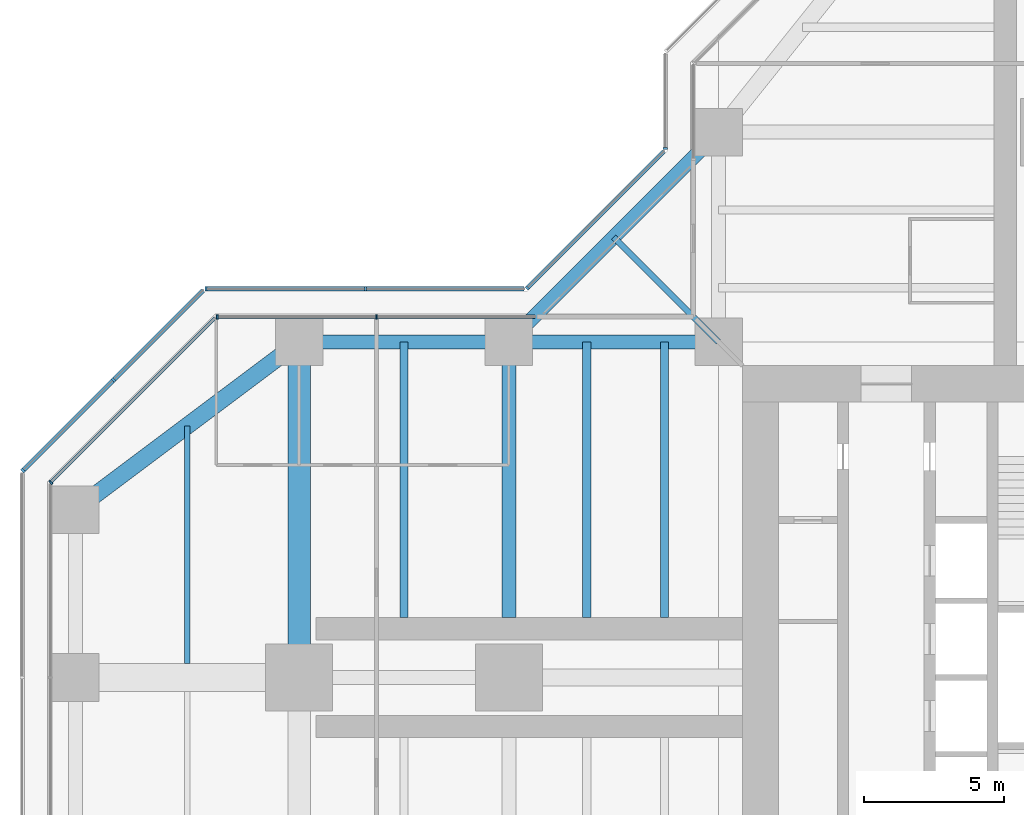
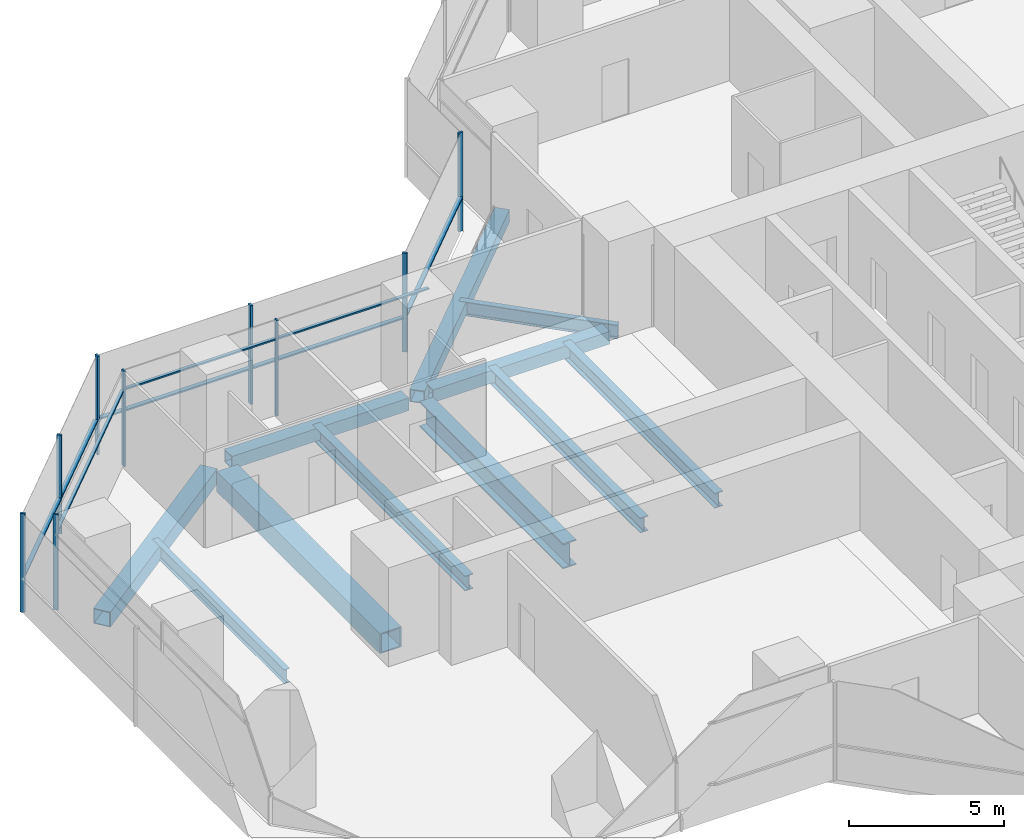
# One storey, part 7 of 19: 17 members, 11 beams, 6 elements without a shape of their own.
"""IFC4 building model written with IfcOpenShell, lengths in metres."""

from ifc_helpers import new_model, si_unit, direction, frame, origin, origin_2d, place, context, subcontext, project, spatial, rectangle, hollow_rectangle, i_section, extrude, material, material_profile, profile_set, type_object, element, aggregate, save


model = new_model("IFC4")

# Units and contexts
model_context = context("Model", 3, precision=1e-05, world=origin(), true_north=direction((0.0, 1.0)))
body_context = subcontext(model_context, "Body", "Model", "MODEL_VIEW")
ifc_project = project(units=[si_unit("LENGTHUNIT", "METRE"), si_unit("AREAUNIT", "SQUARE_METRE"), si_unit("VOLUMEUNIT", "CUBIC_METRE"), si_unit("PLANEANGLEUNIT", "RADIAN"), si_unit("MASSUNIT", "GRAM", prefix="KILO")], contexts=[model_context])

# Site, building, storey
site_placement = place(None, origin())
site = spatial("IfcSite", under=ifc_project, at=site_placement, CompositionType="ELEMENT")
building_placement = place(site_placement, origin())
building = spatial("IfcBuilding", under=site, at=building_placement, Name="Mizan Broadcast Tower", CompositionType="ELEMENT")
storey_placement = place(building_placement, frame((0.0, 0.0, 167.10009765625)))
storey = spatial("IfcBuildingStorey", under=building, at=storey_placement, Name="L38", CompositionType="ELEMENT", Elevation=167.10009765625)

# Beams
ifc_material_1 = material(Name="Steel S355", Category="steel")
ifc_material_profile_1 = material_profile(ifc_material_1, hollow_rectangle(XDim=0.5, YDim=0.5, WallThickness=0.030029296875, at=origin_2d()), Name="BOX 500x500x30")
ifc_profile_set_1 = profile_set([ifc_material_profile_1], Name="Steel S355")
beam_type_1 = type_object("IfcBeamType", Name="EDGE BEAM BOX 500x500x30", PredefinedType="SPANDREL", material=ifc_profile_set_1)
for number, where, z_axis, x_axis, name in (
    (1, (-12.449951171875, 12.0, -0.380126953125), (-1.0, 0.0, 0.0), (0.0, -1.0, 0.0), "Edge beam BOX 500x500x30 L38 west arm"),
    (2, (-19.949951171875, 12.0, -0.380126953125), (-1.0, 0.0, 0.0), (0.0, -1.0, 0.0), "Edge beam BOX 500x500x30 L38 west arm"),
):
    element("IfcBeam", number, at=place(storey_placement, frame(where, z_axis=z_axis, x_axis=x_axis)), inside=storey, type_object=beam_type_1, Name=name, PredefinedType="SPANDREL", context=body_context, shape_type="SweptSolid", body=[
        extrude(hollow_rectangle(XDim=0.5, YDim=0.5, WallThickness=0.030029296875, at=origin_2d()), origin(), (0.0, 0.0, 1.0), 6.60009765625),
    ])
beam_1_placement = place(storey_placement, frame((-12.0, 19.5, -0.380126953125), z_axis=(-0.707106781187, -0.707106781187, 0.0), x_axis=(0.707106781187, -0.707106781187, 0.0)))
element("IfcBeam", 3, at=beam_1_placement, inside=storey, type_object=beam_type_1, Name="Winter garden edge beam L38 N", PredefinedType="SPANDREL", context=body_context, shape_type="SweptSolid", body=[
    extrude(hollow_rectangle(XDim=0.5, YDim=0.5, WallThickness=0.030029296875, at=origin_2d()), origin(), (0.0, 0.0, 1.0), 10.606689453125),
])
ifc_material_2 = material(Name="Steel S355", Category="steel")
ifc_material_profile_2 = material_profile(ifc_material_2, hollow_rectangle(XDim=0.60009765625, YDim=0.60009765625, WallThickness=0.030029296875, at=origin_2d()), Name="BOX 600x600x30")
ifc_profile_set_2 = profile_set([ifc_material_profile_2], Name="Steel S355")
beam_type_2 = type_object("IfcBeamType", Name="EDGE BEAM BOX 600x600x30", PredefinedType="SPANDREL", material=ifc_profile_set_2)
beam_2_placement = place(storey_placement, frame((-27.47998046875, 11.639892578125, -0.43017578125), z_axis=(-0.800013316712, -0.599982243973, 0.0), x_axis=(0.599982243973, -0.800013316712, 0.0)))
element("IfcBeam", 4, at=beam_2_placement, inside=storey, type_object=beam_type_2, Name="Edge beam BOX 600x600x30 L38 west arm", PredefinedType="SPANDREL", context=body_context, shape_type="SweptSolid", body=[
    extrude(hollow_rectangle(XDim=0.60009765625, YDim=0.60009765625, WallThickness=0.030029296875, at=origin_2d()), origin(), (0.0, 0.0, 1.0), 8.7998046875),
])
ifc_material_3 = material(Name="Steel S460", Category="steel")
ifc_material_profile_3 = material_profile(ifc_material_3, hollow_rectangle(XDim=0.800048828125, YDim=0.800048828125, WallThickness=0.050048828125, at=origin_2d()), Name="BOX 800x800x50")
ifc_profile_set_3 = profile_set([ifc_material_profile_3], Name="Steel S460")
beam_type_3 = type_object("IfcBeamType", Name="GIRDER BOX 800x800x50", PredefinedType="BEAM", material=ifc_profile_set_3)
beam_3_placement = place(storey_placement, frame((-27.0, 11.280029296875, -0.530029296875), z_axis=(0.0, -1.0, 0.0), x_axis=(1.0, 0.0, 0.0)))
element("IfcBeam", 5, at=beam_3_placement, inside=storey, type_object=beam_type_3, Name="Girder BOX 800x800x50 L38 west arm", PredefinedType="BEAM", context=body_context, shape_type="SweptSolid", body=[
    extrude(hollow_rectangle(XDim=0.800048828125, YDim=0.800048828125, WallThickness=0.050048828125, at=origin_2d()), origin(), (0.0, 0.0, 1.0), 10.56005859375),
])
ifc_material_4 = material(Name="Steel S460", Category="steel")
ifc_material_profile_4 = material_profile(ifc_material_4, i_section(OverallWidth=0.5, OverallDepth=1.0, WebThickness=0.02490234375, FlangeThickness=0.050048828125, at=origin_2d()), Name="WPG 1000x500")
ifc_profile_set_4 = profile_set([ifc_material_profile_4], Name="Steel S460")
beam_type_4 = type_object("IfcBeamType", Name="GIRDER WPG 1000x500", PredefinedType="BEAM", material=ifc_profile_set_4)
beam_4_placement = place(storey_placement, frame((-19.5, 11.408935546875, -0.630126953125), z_axis=(0.0, -1.0, 0.0), x_axis=(1.0, 0.0, 0.0)))
element("IfcBeam", 6, at=beam_4_placement, inside=storey, type_object=beam_type_4, Name="Girder WPG 1000x500 L38 west arm", PredefinedType="BEAM", context=body_context, shape_type="SweptSolid", body=[
    extrude(i_section(OverallWidth=0.5, OverallDepth=1.0, WebThickness=0.02490234375, FlangeThickness=0.050048828125, at=origin_2d()), origin(), (0.0, 0.0, 1.0), 9.259033203125),
])

# Curtain wall, members
ifc_material_5 = material(Name="Aluminium framed glazing", Category="aluminium")
curtain_wall_type_1 = type_object("IfcCurtainWallType", Name="INNER SKIN MID ZONE", PredefinedType="USERDEFINED", material=ifc_material_5)
curtain_wall_1_placement = place(storey_placement, origin())
curtain_wall_1 = element("IfcCurtainWall", 7, at=curtain_wall_1_placement, inside=storey, type_object=curtain_wall_type_1, Name="Inner skin mid zone L38 W side", ObjectType="INNER SKIN MID ZONE", PredefinedType="USERDEFINED")
ifc_material_6 = material(Name="Aluminium, pale anodised", Category="aluminium")
ifc_material_profile_5 = material_profile(ifc_material_6, rectangle(XDim=0.159912109375, YDim=0.06005859375, at=origin_2d()), Name="MULLION 160x60")
ifc_profile_set_5 = profile_set([ifc_material_profile_5], Name="Aluminium, pale anodised")
member_type_1 = type_object("IfcMemberType", Name="INNER SKIN MULLION 60x160", PredefinedType="MULLION", material=ifc_profile_set_5)
member_1_placement = place(storey_placement, frame((-24.229248046875, 12.89990234375, 0.0), z_axis=(0.0, 0.0, 1.0), x_axis=(0.0, -1.0, 0.0)))
member_1 = element("IfcMember", 8, at=member_1_placement, type_object=member_type_1, Name="Inner skin mid zone L38 W side mullion 2", PredefinedType="MULLION", context=body_context, shape_type="SweptSolid", body=[
    extrude(rectangle(XDim=0.159912109375, YDim=0.06005859375, at=origin_2d()), origin(), (0.0, 0.0, 1.0), 3.77001953125),
])
member_2_placement = place(storey_placement, frame((-29.928466796875, 12.89990234375, 0.0), z_axis=(0.0, 0.0, 1.0), x_axis=(0.0, -1.0, 0.0)))
member_2 = element("IfcMember", 9, at=member_2_placement, type_object=member_type_1, Name="Inner skin mid zone L38 W side mullion 3", PredefinedType="MULLION", context=body_context, shape_type="SweptSolid", body=[
    extrude(rectangle(XDim=0.159912109375, YDim=0.06005859375, at=origin_2d()), origin(), (0.0, 0.0, 1.0), 3.77001953125),
])

# Curtain wall, member
curtain_wall_2_placement = place(storey_placement, origin())
curtain_wall_2 = element("IfcCurtainWall", 10, at=curtain_wall_2_placement, inside=storey, type_object=curtain_wall_type_1, Name="Inner skin mid zone L38 W chamfer", ObjectType="INNER SKIN MID ZONE", PredefinedType="USERDEFINED")
member_3_placement = place(storey_placement, frame((-35.87890625, 6.979736328125, 0.0), z_axis=(0.0, 0.0, 1.0), x_axis=(0.707106781187, -0.707106781187, 0.0)))
member_3 = element("IfcMember", 11, at=member_3_placement, type_object=member_type_1, Name="Inner skin mid zone L38 W chamfer mullion 2", PredefinedType="MULLION", context=body_context, shape_type="SweptSolid", body=[
    extrude(rectangle(XDim=0.159912109375, YDim=0.06005859375, at=origin_2d()), origin(), (0.0, 0.0, 1.0), 3.77001953125),
])

# Member
ifc_material_7 = material(Name="Aluminium, pale anodised", Category="aluminium")
ifc_material_profile_6 = material_profile(ifc_material_7, rectangle(XDim=0.1201171875, YDim=0.06005859375, at=origin_2d()), Name="TRANSOM 120x60")
ifc_profile_set_6 = profile_set([ifc_material_profile_6], Name="Aluminium, pale anodised")
member_type_2 = type_object("IfcMemberType", Name="INNER SKIN TRANSOM 60x120", PredefinedType="USERDEFINED", material=ifc_profile_set_6)
member_4_placement = place(storey_placement, frame((-18.56005859375, 12.89990234375, 3.02978515625), z_axis=(-1.0, 0.0, 0.0), x_axis=(0.0, -1.0, 0.0)))
member_4 = element("IfcMember", 12, at=member_4_placement, type_object=member_type_2, Name="Inner skin mid zone L38 W side transom 1.1", ObjectType="TRANSOM", PredefinedType="USERDEFINED", context=body_context, shape_type="SweptSolid", body=[
    extrude(rectangle(XDim=0.1201171875, YDim=0.06005859375, at=origin_2d()), origin(), (0.0, 0.0, 1.0), 5.63916015625),
])

member_5_placement = place(storey_placement, frame((-24.25927734375, 12.89990234375, 3.02978515625), z_axis=(-1.0, 0.0, 0.0), x_axis=(0.0, -1.0, 0.0)))
member_5 = element("IfcMember", 13, at=member_5_placement, type_object=member_type_2, Name="Inner skin mid zone L38 W side transom 2.1", ObjectType="TRANSOM", PredefinedType="USERDEFINED", context=body_context, shape_type="SweptSolid", body=[
    extrude(rectangle(XDim=0.1201171875, YDim=0.06005859375, at=origin_2d()), origin(), (0.0, 0.0, 1.0), 5.639404296875),
])

aggregate(curtain_wall_1, [member_1, member_2, member_4, member_5])

member_6_placement = place(storey_placement, frame((-30.0009765625, 12.857666015625, 3.02978515625), z_axis=(-0.707106781187, -0.707106781187, 0.0), x_axis=(0.707106781187, -0.707106781187, 0.0)))
member_6 = element("IfcMember", 14, at=member_6_placement, type_object=member_type_2, Name="Inner skin mid zone L38 W chamfer transom 1.1", ObjectType="TRANSOM", PredefinedType="USERDEFINED", context=body_context, shape_type="SweptSolid", body=[
    extrude(rectangle(XDim=0.1201171875, YDim=0.06005859375, at=origin_2d()), origin(), (0.0, 0.0, 1.0), 8.28271484375),
])

aggregate(curtain_wall_2, [member_3, member_6])

# Curtain wall, member
ifc_material_8 = material(Name="Aluminium framed glazing", Category="aluminium")
curtain_wall_type_2 = type_object("IfcCurtainWallType", Name="OUTER SKIN", PredefinedType="USERDEFINED", material=ifc_material_8)
curtain_wall_3_placement = place(storey_placement, origin())
curtain_wall_3 = element("IfcCurtainWall", 15, at=curtain_wall_3_placement, inside=storey, type_object=curtain_wall_type_2, Name="Outer skin L38 N side", ObjectType="OUTER SKIN", PredefinedType="USERDEFINED")
ifc_material_9 = material(Name="Aluminium, pale anodised", Category="aluminium")
ifc_material_profile_7 = material_profile(ifc_material_9, rectangle(XDim=0.159912109375, YDim=0.080078125, at=origin_2d()), Name="MULLION 160x80")
ifc_profile_set_7 = profile_set([ifc_material_profile_7], Name="Aluminium, pale anodised")
member_type_3 = type_object("IfcMemberType", Name="OUTER SKIN MULLION 80x160", PredefinedType="MULLION", material=ifc_profile_set_7)
member_7_placement = place(storey_placement, frame((-13.89990234375, 18.912841796875, 0.0), z_axis=(0.0, 0.0, 1.0), x_axis=(1.0, 0.0, 0.0)))
member_7 = element("IfcMember", 16, at=member_7_placement, type_object=member_type_3, Name="Outer skin L38 N side mullion 2", PredefinedType="MULLION", context=body_context, shape_type="SweptSolid", body=[
    extrude(rectangle(XDim=0.159912109375, YDim=0.080078125, at=origin_2d()), origin(), (0.0, 0.0, 1.0), 3.89990234375),
])
aggregate(curtain_wall_3, [member_7])

curtain_wall_4_placement = place(storey_placement, origin())
curtain_wall_4 = element("IfcCurtainWall", 17, at=curtain_wall_4_placement, inside=storey, type_object=curtain_wall_type_2, Name="Outer skin L38 W chamfer", ObjectType="OUTER SKIN", PredefinedType="USERDEFINED")
member_8_placement = place(storey_placement, frame((-18.844482421875, 13.92822265625, 0.0), z_axis=(0.0, 0.0, 1.0), x_axis=(0.707106781187, -0.707106781187, 0.0)))
member_8 = element("IfcMember", 18, at=member_8_placement, type_object=member_type_3, Name="Outer skin L38 W chamfer mullion 2", PredefinedType="MULLION", context=body_context, shape_type="SweptSolid", body=[
    extrude(rectangle(XDim=0.159912109375, YDim=0.080078125, at=origin_2d()), origin(), (0.0, 0.0, 1.0), 3.89990234375),
])

# Curtain wall, members
curtain_wall_5_placement = place(storey_placement, origin())
curtain_wall_5 = element("IfcCurtainWall", 19, at=curtain_wall_5_placement, inside=storey, type_object=curtain_wall_type_2, Name="Outer skin L38 W side", ObjectType="OUTER SKIN", PredefinedType="USERDEFINED")
member_9_placement = place(storey_placement, frame((-24.622802734375, 13.89990234375, 0.0), z_axis=(0.0, 0.0, 1.0), x_axis=(0.0, -1.0, 0.0)))
member_9 = element("IfcMember", 20, at=member_9_placement, type_object=member_type_3, Name="Outer skin L38 W side mullion 2", PredefinedType="MULLION", context=body_context, shape_type="SweptSolid", body=[
    extrude(rectangle(XDim=0.159912109375, YDim=0.080078125, at=origin_2d()), origin(), (0.0, 0.0, 1.0), 3.89990234375),
])
member_10_placement = place(storey_placement, frame((-30.332763671875, 13.89990234375, 0.0), z_axis=(0.0, 0.0, 1.0), x_axis=(0.0, -1.0, 0.0)))
member_10 = element("IfcMember", 21, at=member_10_placement, type_object=member_type_3, Name="Outer skin L38 W side mullion 3", PredefinedType="MULLION", context=body_context, shape_type="SweptSolid", body=[
    extrude(rectangle(XDim=0.159912109375, YDim=0.080078125, at=origin_2d()), origin(), (0.0, 0.0, 1.0), 3.89990234375),
])

curtain_wall_6_placement = place(storey_placement, origin())
curtain_wall_6 = element("IfcCurtainWall", 22, at=curtain_wall_6_placement, inside=storey, type_object=curtain_wall_type_2, Name="Outer skin L38 W chamfer", ObjectType="OUTER SKIN", PredefinedType="USERDEFINED")
member_11_placement = place(storey_placement, frame((-33.636474609375, 10.636474609375, 0.0), z_axis=(0.0, 0.0, 1.0), x_axis=(0.707106781187, -0.707106781187, 0.0)))
member_11 = element("IfcMember", 23, at=member_11_placement, type_object=member_type_3, Name="Outer skin L38 W chamfer mullion 2", PredefinedType="MULLION", context=body_context, shape_type="SweptSolid", body=[
    extrude(rectangle(XDim=0.159912109375, YDim=0.080078125, at=origin_2d()), origin(), (0.0, 0.0, 1.0), 3.89990234375),
])
member_12_placement = place(storey_placement, frame((-36.871826171875, 7.401123046875, 0.0), z_axis=(0.0, 0.0, 1.0), x_axis=(0.707106781187, -0.707106781187, 0.0)))
member_12 = element("IfcMember", 24, at=member_12_placement, type_object=member_type_3, Name="Outer skin L38 W chamfer mullion 3", PredefinedType="MULLION", context=body_context, shape_type="SweptSolid", body=[
    extrude(rectangle(XDim=0.159912109375, YDim=0.080078125, at=origin_2d()), origin(), (0.0, 0.0, 1.0), 3.89990234375),
])

# Member
ifc_material_10 = material(Name="Aluminium, pale anodised", Category="aluminium")
ifc_material_profile_8 = material_profile(ifc_material_10, rectangle(XDim=0.159912109375, YDim=0.06005859375, at=origin_2d()), Name="TRANSOM 160x60")
ifc_profile_set_8 = profile_set([ifc_material_profile_8], Name="Aluminium, pale anodised")
member_type_4 = type_object("IfcMemberType", Name="OUTER SKIN TRANSOM 60x160", PredefinedType="USERDEFINED", material=ifc_profile_set_8)
member_13_placement = place(storey_placement, frame((-13.95654296875, 18.816162109375, 1.39990234375), z_axis=(-0.707106781187, -0.707106781187, 0.0), x_axis=(0.707106781187, -0.707106781187, 0.0)))
member_13 = element("IfcMember", 25, at=member_13_placement, type_object=member_type_4, Name="Outer skin L38 W chamfer transom 1.1", ObjectType="TRANSOM", PredefinedType="USERDEFINED", context=body_context, shape_type="SweptSolid", body=[
    extrude(rectangle(XDim=0.159912109375, YDim=0.06005859375, at=origin_2d()), origin(), (0.0, 0.0, 1.0), 6.87255859375),
])

aggregate(curtain_wall_4, [member_8, member_13])

member_14_placement = place(storey_placement, frame((-18.952880859375, 13.89990234375, 1.39990234375), z_axis=(-1.0, 0.0, 0.0), x_axis=(0.0, -1.0, 0.0)))
member_14 = element("IfcMember", 26, at=member_14_placement, type_object=member_type_4, Name="Outer skin L38 W side transom 1.1", ObjectType="TRANSOM", PredefinedType="USERDEFINED", context=body_context, shape_type="SweptSolid", body=[
    extrude(rectangle(XDim=0.159912109375, YDim=0.06005859375, at=origin_2d()), origin(), (0.0, 0.0, 1.0), 5.6298828125),
])

member_15_placement = place(storey_placement, frame((-24.662841796875, 13.89990234375, 1.39990234375), z_axis=(-1.0, 0.0, 0.0), x_axis=(0.0, -1.0, 0.0)))
member_15 = element("IfcMember", 27, at=member_15_placement, type_object=member_type_4, Name="Outer skin L38 W side transom 2.1", ObjectType="TRANSOM", PredefinedType="USERDEFINED", context=body_context, shape_type="SweptSolid", body=[
    extrude(rectangle(XDim=0.159912109375, YDim=0.06005859375, at=origin_2d()), origin(), (0.0, 0.0, 1.0), 5.6298828125),
])

aggregate(curtain_wall_5, [member_9, member_10, member_14, member_15])

member_16_placement = place(storey_placement, frame((-30.429443359375, 13.843505859375, 1.39990234375), z_axis=(-0.707106781187, -0.707106781187, 0.0), x_axis=(0.707106781187, -0.707106781187, 0.0)))
member_16 = element("IfcMember", 28, at=member_16_placement, type_object=member_type_4, Name="Outer skin L38 W chamfer transom 1.1", ObjectType="TRANSOM", PredefinedType="USERDEFINED", context=body_context, shape_type="SweptSolid", body=[
    extrude(rectangle(XDim=0.159912109375, YDim=0.06005859375, at=origin_2d()), origin(), (0.0, 0.0, 1.0), 4.495361328125),
])

member_17_placement = place(storey_placement, frame((-33.664794921875, 10.608154296875, 1.39990234375), z_axis=(-0.707106781187, -0.707106781187, 0.0), x_axis=(0.707106781187, -0.707106781187, 0.0)))
member_17 = element("IfcMember", 29, at=member_17_placement, type_object=member_type_4, Name="Outer skin L38 W chamfer transom 2.1", ObjectType="TRANSOM", PredefinedType="USERDEFINED", context=body_context, shape_type="SweptSolid", body=[
    extrude(rectangle(XDim=0.159912109375, YDim=0.06005859375, at=origin_2d()), origin(), (0.0, 0.0, 1.0), 4.495361328125),
])

aggregate(curtain_wall_6, [member_11, member_12, member_16, member_17])

# Beams
ifc_material_11 = material(Name="Steel S355", Category="steel")
ifc_material_profile_9 = material_profile(ifc_material_11, i_section(OverallWidth=0.300048828125, OverallDepth=0.590087890625, WebThickness=0.012939453125, FlangeThickness=0.02490234375, FilletRadius=0.027099609375, at=origin_2d()), Name="HEA 600")
ifc_profile_set_9 = profile_set([ifc_material_profile_9], Name="Steel S355")
beam_type_5 = type_object("IfcBeamType", Name="SECONDARY BEAM HEA 600", PredefinedType="JOIST", material=ifc_profile_set_9)
for number, where, z_axis, x_axis, name in (
    (30, (-13.933349609375, 12.0, -0.425048828125), (0.0, -1.0, 0.0), (1.0, 0.0, 0.0), "Secondary beam HEA 600 L38 west arm"),
    (31, (-16.716552734375, 12.0, -0.425048828125), (0.0, -1.0, 0.0), (1.0, 0.0, 0.0), "Secondary beam HEA 600 L38 west arm"),
    (32, (-23.25, 12.0, -0.425048828125), (0.0, -1.0, 0.0), (1.0, 0.0, 0.0), "Secondary beam HEA 600 L38 west arm"),
):
    element("IfcBeam", number, at=place(storey_placement, frame(where, z_axis=z_axis, x_axis=x_axis)), inside=storey, type_object=beam_type_5, Name=name, PredefinedType="JOIST", context=body_context, shape_type="SweptSolid", body=[
        extrude(i_section(OverallWidth=0.300048828125, OverallDepth=0.590087890625, WebThickness=0.012939453125, FlangeThickness=0.02490234375, FilletRadius=0.027099609375, at=origin_2d()), origin(), (0.0, 0.0, 1.0), 9.85009765625),
    ])
ifc_material_12 = material(Name="Steel S355", Category="steel")
ifc_material_profile_10 = material_profile(ifc_material_12, i_section(OverallWidth=0.2099609375, OverallDepth=0.550048828125, WebThickness=0.010986328125, FlangeThickness=0.01708984375, FilletRadius=0.02392578125, at=origin_2d()), Name="IPE 550")
ifc_profile_set_10 = profile_set([ifc_material_profile_10], Name="Steel S355")
beam_type_6 = type_object("IfcBeamType", Name="SECONDARY BEAM IPE 550", PredefinedType="JOIST", material=ifc_profile_set_10)
beam_5_placement = place(storey_placement, frame((-31.0, 9.0, -0.405029296875), z_axis=(0.0, -1.0, 0.0), x_axis=(1.0, 0.0, 0.0)))
element("IfcBeam", 33, at=beam_5_placement, inside=storey, type_object=beam_type_6, Name="Secondary beam IPE 550 L38 west arm", PredefinedType="JOIST", context=body_context, shape_type="SweptSolid", body=[
    extrude(i_section(OverallWidth=0.2099609375, OverallDepth=0.550048828125, WebThickness=0.010986328125, FlangeThickness=0.01708984375, FilletRadius=0.02392578125, at=origin_2d()), origin(), (0.0, 0.0, 1.0), 8.5),
])
beam_6_placement = place(storey_placement, frame((-12.0, 12.0, -0.405029296875), z_axis=(-0.707106781187, 0.707106781187, 0.0), x_axis=(-0.707106781187, -0.707106781187, 0.0)))
element("IfcBeam", 34, at=beam_6_placement, inside=storey, type_object=beam_type_6, Name="Winter garden beam L38 N", PredefinedType="JOIST", context=body_context, shape_type="SweptSolid", body=[
    extrude(i_section(OverallWidth=0.2099609375, OverallDepth=0.550048828125, WebThickness=0.010986328125, FlangeThickness=0.01708984375, FilletRadius=0.02392578125, at=origin_2d()), origin(), (0.0, 0.0, 1.0), 5.30322265625),
])

save(model, "model.ifc")
